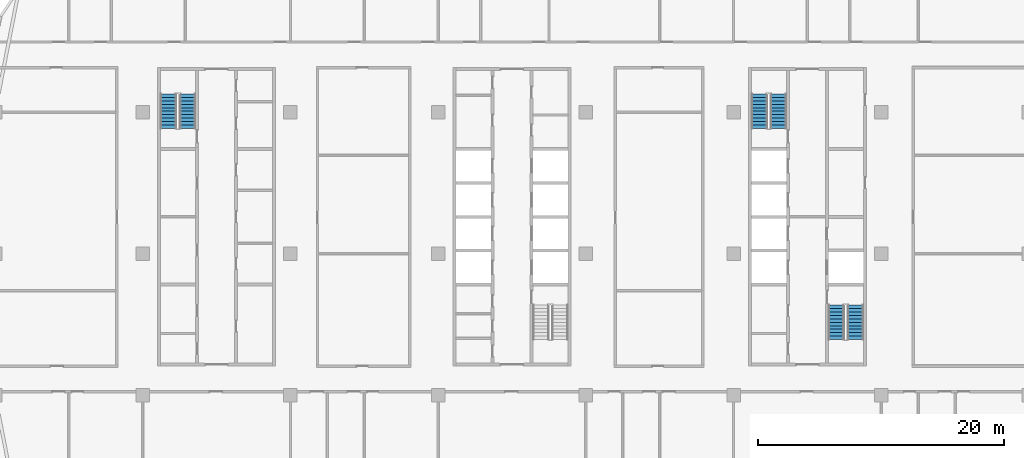
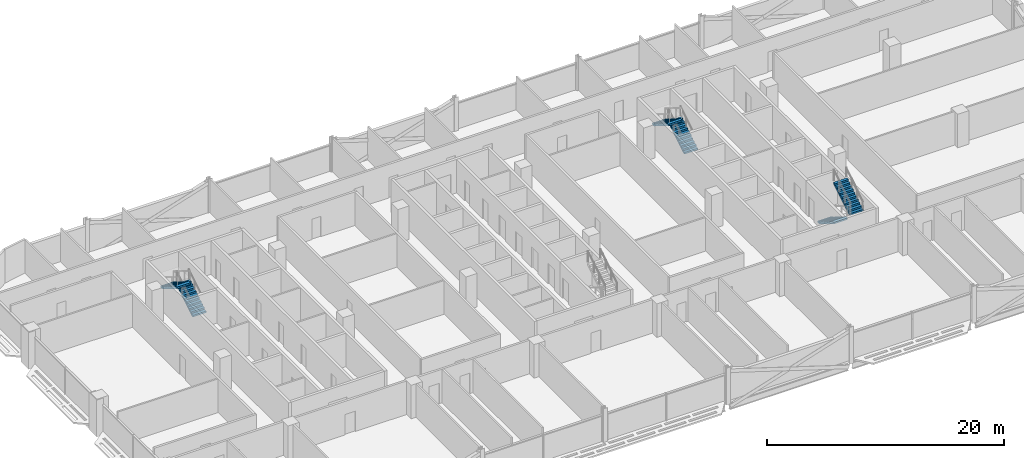
# One storey, part 19 of 30: 6 stair flights, 3 elements without a shape of their own.
"""IFC4 building model written with IfcOpenShell, lengths in metres."""

from ifc_helpers import new_model, si_unit, direction, frame, origin, place, context, subcontext, project, spatial, polyline, outline, extrude, material, type_object, element, aggregate, save


model = new_model("IFC4")

# Units and contexts
model_context = context("Model", 3, precision=1e-05, world=origin(), true_north=direction((0.0, 1.0)))
body_context = subcontext(model_context, "Body", "Model", "MODEL_VIEW")
ifc_project = project(units=[si_unit("LENGTHUNIT", "METRE"), si_unit("AREAUNIT", "SQUARE_METRE"), si_unit("VOLUMEUNIT", "CUBIC_METRE"), si_unit("PLANEANGLEUNIT", "RADIAN"), si_unit("MASSUNIT", "GRAM", prefix="KILO")], contexts=[model_context])

# Site, building, storey
site_placement = place(None, origin())
site = spatial("IfcSite", under=ifc_project, at=site_placement, CompositionType="ELEMENT")
building_placement = place(site_placement, origin())
building = spatial("IfcBuilding", under=site, at=building_placement, Name="Mahtab Terrace Research Tower", CompositionType="ELEMENT")
storey_placement = place(building_placement, frame((0.0, 0.0, 212.89990234375)))
storey = spatial("IfcBuildingStorey", under=building, at=storey_placement, Name="L51", CompositionType="ELEMENT", Elevation=212.89990234375)

# Stair, stair flights
ifc_material_1 = material(Name="Exit stair half-turn")
stair_type = type_object("IfcStairType", Name="Exit stair half-turn", PredefinedType="HALF_TURN_STAIR", material=ifc_material_1)
stair_1_placement = place(storey_placement, origin())
stair_1 = element("IfcStair", 1, at=stair_1_placement, inside=storey, type_object=stair_type, Name="L51 Protected exit stair ST1", PredefinedType="HALF_TURN_STAIR")
ifc_material_2 = material(Name="Concrete C40/50", Category="concrete")
stair_flight_type = type_object("IfcStairFlightType", Name="Exit stair flight 1300", PredefinedType="STRAIGHT", material=ifc_material_2)
stair_flight_1_placement = place(storey_placement, frame((-26.35009765625, 10.175048828125, 0.0), z_axis=(0.0, 0.0, 1.0), x_axis=(0.0, 1.0, 0.0)))
stair_flight_1 = element("IfcStairFlight", 2, at=stair_flight_1_placement, type_object=stair_flight_type, Name="ST1 flight 1", NumberOfRisers=11, NumberOfTreads=10, PredefinedType="STRAIGHT", RiserHeight=0.172727273, TreadLength=0.28, context=body_context, shape_type="SweptSolid", body=[
    extrude(outline(polyline([(0.0, 0.0), (0.0, 0.172607421875), (0.280029296875, 0.172607421875), (0.280029296875, 0.345458984375), (0.56005859375, 0.345458984375), (0.56005859375, 0.51806640625), (0.840087890625, 0.51806640625), (0.840087890625, 0.69091796875), (1.1201171875, 0.69091796875), (1.1201171875, 0.863525390625), (1.39990234375, 0.863525390625), (1.39990234375, 1.036376953125), (1.679931640625, 1.036376953125), (1.679931640625, 1.208984375), (1.9599609375, 1.208984375), (1.9599609375, 1.3818359375), (2.239990234375, 1.3818359375), (2.239990234375, 1.554443359375), (2.52001953125, 1.554443359375), (2.52001953125, 1.727294921875), (2.800048828125, 1.727294921875), (2.800048828125, 1.89990234375), (2.800048828125, 1.551025390625), (0.285400390625, 0.0), (0.0, 0.0)])), frame((0.0, 0.64990234375, 0.0), z_axis=(0.0, -1.0, 0.0), x_axis=(1.0, 0.0, 0.0)), (0.0, 0.0, 1.0), 1.300048828125),
])
stair_flight_2_placement = place(storey_placement, frame((-27.89990234375, 12.97509765625, 1.900146484375), z_axis=(0.0, 0.0, 1.0), x_axis=(0.0, -1.0, 0.0)))
stair_flight_2 = element("IfcStairFlight", 3, at=stair_flight_2_placement, type_object=stair_flight_type, Name="ST1 flight 2", NumberOfRisers=11, NumberOfTreads=10, PredefinedType="STRAIGHT", RiserHeight=0.172727273, TreadLength=0.28, context=body_context, shape_type="SweptSolid", body=[
    extrude(outline(polyline([(0.0, 0.0), (0.0, 0.172607421875), (0.280029296875, 0.172607421875), (0.280029296875, 0.345458984375), (0.56005859375, 0.345458984375), (0.56005859375, 0.51806640625), (0.840087890625, 0.51806640625), (0.840087890625, 0.69091796875), (1.1201171875, 0.69091796875), (1.1201171875, 0.863525390625), (1.39990234375, 0.863525390625), (1.39990234375, 1.036376953125), (1.679931640625, 1.036376953125), (1.679931640625, 1.208984375), (1.9599609375, 1.208984375), (1.9599609375, 1.3818359375), (2.239990234375, 1.3818359375), (2.239990234375, 1.554443359375), (2.52001953125, 1.554443359375), (2.52001953125, 1.727294921875), (2.800048828125, 1.727294921875), (2.800048828125, 1.89990234375), (2.800048828125, 1.551025390625), (0.285400390625, 0.0), (0.0, 0.0)])), frame((0.0, 0.64990234375, 0.0), z_axis=(0.0, -1.0, 0.0), x_axis=(1.0, 0.0, 0.0)), (0.0, 0.0, 1.0), 1.300048828125),
])
aggregate(stair_1, [stair_flight_1, stair_flight_2])

stair_2_placement = place(storey_placement, origin())
stair_2 = element("IfcStair", 4, at=stair_2_placement, inside=storey, type_object=stair_type, Name="L51 Protected exit stair ST3", PredefinedType="HALF_TURN_STAIR")
stair_flight_3_placement = place(storey_placement, frame((21.64990234375, 10.175048828125, 0.0), z_axis=(0.0, 0.0, 1.0), x_axis=(0.0, 1.0, 0.0)))
stair_flight_3 = element("IfcStairFlight", 5, at=stair_flight_3_placement, type_object=stair_flight_type, Name="ST3 flight 1", NumberOfRisers=11, NumberOfTreads=10, PredefinedType="STRAIGHT", RiserHeight=0.172727273, TreadLength=0.28, context=body_context, shape_type="SweptSolid", body=[
    extrude(outline(polyline([(0.0, 0.0), (0.0, 0.172607421875), (0.280029296875, 0.172607421875), (0.280029296875, 0.345458984375), (0.56005859375, 0.345458984375), (0.56005859375, 0.51806640625), (0.840087890625, 0.51806640625), (0.840087890625, 0.69091796875), (1.1201171875, 0.69091796875), (1.1201171875, 0.863525390625), (1.39990234375, 0.863525390625), (1.39990234375, 1.036376953125), (1.679931640625, 1.036376953125), (1.679931640625, 1.208984375), (1.9599609375, 1.208984375), (1.9599609375, 1.3818359375), (2.239990234375, 1.3818359375), (2.239990234375, 1.554443359375), (2.52001953125, 1.554443359375), (2.52001953125, 1.727294921875), (2.800048828125, 1.727294921875), (2.800048828125, 1.89990234375), (2.800048828125, 1.551025390625), (0.285400390625, 0.0), (0.0, 0.0)])), frame((0.0, 0.64990234375, 0.0), z_axis=(0.0, -1.0, 0.0), x_axis=(1.0, 0.0, 0.0)), (0.0, 0.0, 1.0), 1.300048828125),
])
stair_flight_4_placement = place(storey_placement, frame((20.10009765625, 12.97509765625, 1.900146484375), z_axis=(0.0, 0.0, 1.0), x_axis=(0.0, -1.0, 0.0)))
stair_flight_4 = element("IfcStairFlight", 6, at=stair_flight_4_placement, type_object=stair_flight_type, Name="ST3 flight 2", NumberOfRisers=11, NumberOfTreads=10, PredefinedType="STRAIGHT", RiserHeight=0.172727273, TreadLength=0.28, context=body_context, shape_type="SweptSolid", body=[
    extrude(outline(polyline([(0.0, 0.0), (0.0, 0.172607421875), (0.280029296875, 0.172607421875), (0.280029296875, 0.345458984375), (0.56005859375, 0.345458984375), (0.56005859375, 0.51806640625), (0.840087890625, 0.51806640625), (0.840087890625, 0.69091796875), (1.1201171875, 0.69091796875), (1.1201171875, 0.863525390625), (1.39990234375, 0.863525390625), (1.39990234375, 1.036376953125), (1.679931640625, 1.036376953125), (1.679931640625, 1.208984375), (1.9599609375, 1.208984375), (1.9599609375, 1.3818359375), (2.239990234375, 1.3818359375), (2.239990234375, 1.554443359375), (2.52001953125, 1.554443359375), (2.52001953125, 1.727294921875), (2.800048828125, 1.727294921875), (2.800048828125, 1.89990234375), (2.800048828125, 1.551025390625), (0.285400390625, 0.0), (0.0, 0.0)])), frame((0.0, 0.64990234375, 0.0), z_axis=(0.0, -1.0, 0.0), x_axis=(1.0, 0.0, 0.0)), (0.0, 0.0, 1.0), 1.300048828125),
])
aggregate(stair_2, [stair_flight_3, stair_flight_4])

stair_3_placement = place(storey_placement, origin())
stair_3 = element("IfcStair", 7, at=stair_3_placement, inside=storey, type_object=stair_type, Name="L51 Protected exit stair ST4", PredefinedType="HALF_TURN_STAIR")
stair_flight_5_placement = place(storey_placement, frame((26.35009765625, -4.175048828125, 0.0), z_axis=(0.0, 0.0, 1.0), x_axis=(0.0, -1.0, 0.0)))
stair_flight_5 = element("IfcStairFlight", 8, at=stair_flight_5_placement, type_object=stair_flight_type, Name="ST4 flight 1", NumberOfRisers=11, NumberOfTreads=10, PredefinedType="STRAIGHT", RiserHeight=0.172727273, TreadLength=0.28, context=body_context, shape_type="SweptSolid", body=[
    extrude(outline(polyline([(0.0, 0.0), (0.0, 0.172607421875), (0.280029296875, 0.172607421875), (0.280029296875, 0.345458984375), (0.56005859375, 0.345458984375), (0.56005859375, 0.51806640625), (0.840087890625, 0.51806640625), (0.840087890625, 0.69091796875), (1.1201171875, 0.69091796875), (1.1201171875, 0.863525390625), (1.39990234375, 0.863525390625), (1.39990234375, 1.036376953125), (1.679931640625, 1.036376953125), (1.679931640625, 1.208984375), (1.9599609375, 1.208984375), (1.9599609375, 1.3818359375), (2.239990234375, 1.3818359375), (2.239990234375, 1.554443359375), (2.52001953125, 1.554443359375), (2.52001953125, 1.727294921875), (2.800048828125, 1.727294921875), (2.800048828125, 1.89990234375), (2.800048828125, 1.551025390625), (0.285400390625, 0.0), (0.0, 0.0)])), frame((0.0, 0.64990234375, 0.0), z_axis=(0.0, -1.0, 0.0), x_axis=(1.0, 0.0, 0.0)), (0.0, 0.0, 1.0), 1.300048828125),
])
stair_flight_6_placement = place(storey_placement, frame((27.89990234375, -6.97509765625, 1.900146484375), z_axis=(0.0, 0.0, 1.0), x_axis=(0.0, 1.0, 0.0)))
stair_flight_6 = element("IfcStairFlight", 9, at=stair_flight_6_placement, type_object=stair_flight_type, Name="ST4 flight 2", NumberOfRisers=11, NumberOfTreads=10, PredefinedType="STRAIGHT", RiserHeight=0.172727273, TreadLength=0.28, context=body_context, shape_type="SweptSolid", body=[
    extrude(outline(polyline([(0.0, 0.0), (0.0, 0.172607421875), (0.280029296875, 0.172607421875), (0.280029296875, 0.345458984375), (0.56005859375, 0.345458984375), (0.56005859375, 0.51806640625), (0.840087890625, 0.51806640625), (0.840087890625, 0.69091796875), (1.1201171875, 0.69091796875), (1.1201171875, 0.863525390625), (1.39990234375, 0.863525390625), (1.39990234375, 1.036376953125), (1.679931640625, 1.036376953125), (1.679931640625, 1.208984375), (1.9599609375, 1.208984375), (1.9599609375, 1.3818359375), (2.239990234375, 1.3818359375), (2.239990234375, 1.554443359375), (2.52001953125, 1.554443359375), (2.52001953125, 1.727294921875), (2.800048828125, 1.727294921875), (2.800048828125, 1.89990234375), (2.800048828125, 1.551025390625), (0.285400390625, 0.0), (0.0, 0.0)])), frame((0.0, 0.64990234375, 0.0), z_axis=(0.0, -1.0, 0.0), x_axis=(1.0, 0.0, 0.0)), (0.0, 0.0, 1.0), 1.300048828125),
])
aggregate(stair_3, [stair_flight_5, stair_flight_6])

save(model, "model.ifc")
